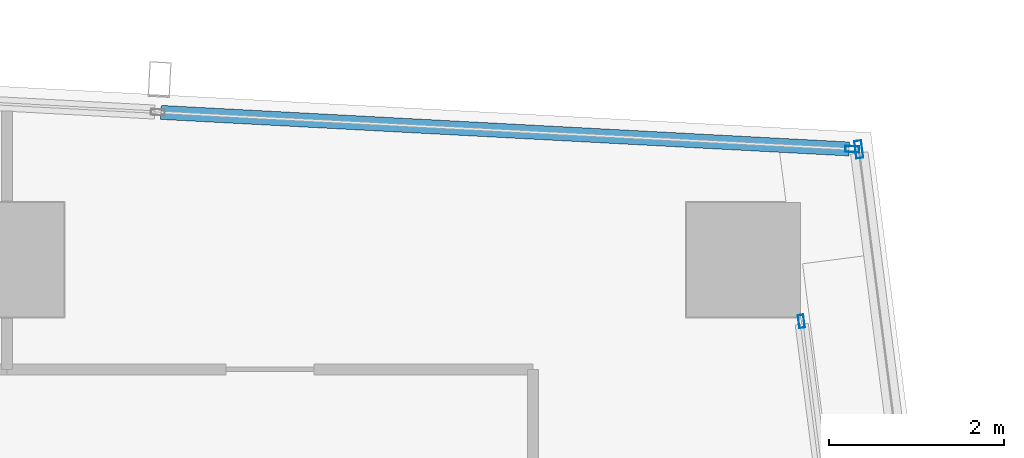
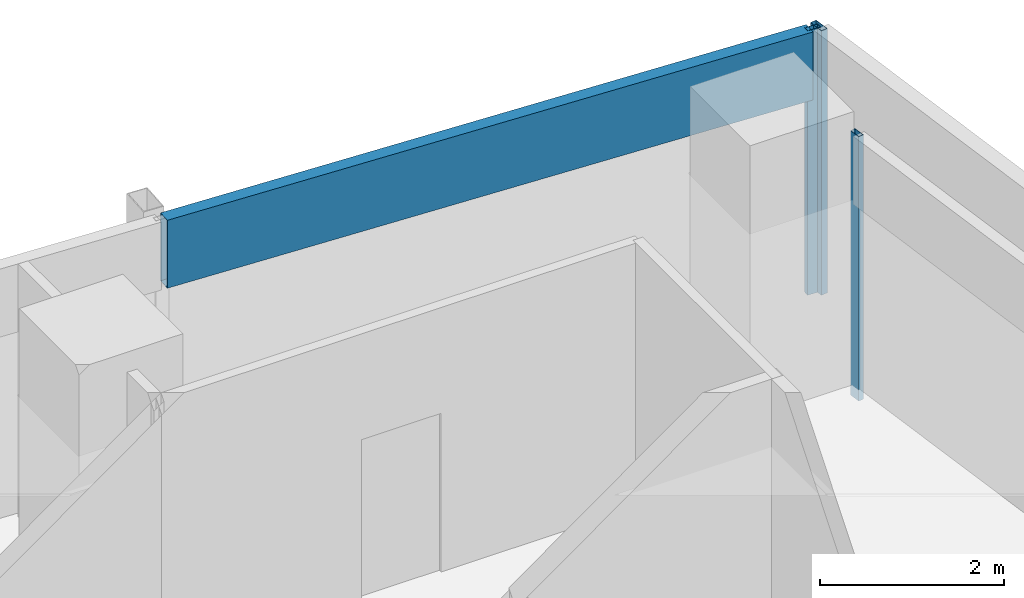
# One storey, part 20 of 29: 4 members, 3 elements without a shape of their own.
"""IFC4 building model written with IfcOpenShell, lengths in metres."""

import ifcopenshell
import ifcopenshell.guid

model = None  # the IFC model being written
_history = None  # IfcOwnerHistory: only IFC2X3 demands one
_inside = {}  # id of a spatial element -> (the spatial element, [elements in it])
_under = {}  # id of a project, library or spatial element -> (it, [spatial elements below it])
_declared = {}  # id of a project -> (the project, [libraries it declares])
_typed = {}  # id of a type object -> (the type object, [elements of that type])
_made_of = {}  # id of a material, layer set ... -> (it, [elements and type objects made of it])


def new_model(schema):
    """Start an empty IFC model of exactly this schema.

    Asked for "IFC4X3", IfcOpenShell would pick the latest addendum, in which some entities
    have other attributes; the version numbers below select the first issue.
    IFC2X3 requires an IfcOwnerHistory on every rooted entity: one is made here for all.
    """
    global model, _history
    if schema == "IFC4X3":
        model = ifcopenshell.file(schema_version=(4, 3, 0, 0))
    else:
        model = ifcopenshell.file(schema=schema)
    _inside.clear()
    _under.clear()
    _declared.clear()
    _typed.clear()
    _made_of.clear()
    _history = None
    if model.schema == "IFC2X3":
        org = make("IfcOrganization", Name="unknown")
        user = make(
            "IfcPersonAndOrganization",
            ThePerson=make("IfcPerson", FamilyName="unknown"),
            TheOrganization=org,
        )
        app = make(
            "IfcApplication",
            ApplicationDeveloper=org,
            Version="unknown",
            ApplicationFullName="unknown",
            ApplicationIdentifier="unknown",
        )
        _history = make(
            "IfcOwnerHistory",
            OwningUser=user,
            OwningApplication=app,
            ChangeAction="ADDED",
            CreationDate=0,
        )
    return model


def make(cls, **values):
    """One entity of the class cls with the attributes given. An attribute that is None is left unset."""
    return model.create_entity(
        cls, **{name: value for name, value in values.items() if value is not None}
    )


def rooted(cls, **values):
    """An entity with a GlobalId (a new one), such as an element, a storey or a relation."""
    return make(cls, GlobalId=ifcopenshell.guid.new(), OwnerHistory=_history, **values)


def si_unit(unit_type, name, prefix=None):
    """IfcSIUnit, for example si_unit("LENGTHUNIT", "METRE", prefix="MILLI")."""
    return make("IfcSIUnit", UnitType=unit_type, Prefix=prefix, Name=name)


def assignment(units):
    """IfcUnitAssignment: the units of a project."""
    return None if units is None else make("IfcUnitAssignment", Units=units)


def point(xyz):
    """IfcCartesianPoint."""
    return None if xyz is None else make("IfcCartesianPoint", Coordinates=xyz)


def direction(xyz):
    """IfcDirection."""
    return None if xyz is None else make("IfcDirection", DirectionRatios=xyz)


def frame(location, z_axis=None, x_axis=None):
    """IfcAxis2Placement3D, a coordinate frame: its origin and axes. An axis left out is left unset."""
    return make(
        "IfcAxis2Placement3D",
        Location=point(location),
        Axis=direction(z_axis),
        RefDirection=direction(x_axis),
    )


def frame_2d(location, x_axis=None):
    """IfcAxis2Placement2D, a coordinate frame in the plane: its origin and x axis."""
    return make(
        "IfcAxis2Placement2D", Location=point(location), RefDirection=direction(x_axis)
    )


def origin():
    """The frame at (0, 0, 0) with its axes left unset."""
    return frame((0.0, 0.0, 0.0))


def origin_2d():
    """The frame at (0, 0) in the plane with its x axis left unset."""
    return frame_2d((0.0, 0.0))


def place(relative_to, where):
    """IfcLocalPlacement: puts the frame where relative to a parent placement (None: the world)."""
    return make(
        "IfcLocalPlacement", PlacementRelTo=relative_to, RelativePlacement=where
    )


def context(
    kind, dimensions, precision=None, world=None, true_north=None, identifier=None
):
    """IfcGeometricRepresentationContext, for example the 3D "Model" context."""
    return make(
        "IfcGeometricRepresentationContext",
        ContextIdentifier=identifier,
        ContextType=kind,
        CoordinateSpaceDimension=dimensions,
        Precision=precision,
        WorldCoordinateSystem=world,
        TrueNorth=true_north,
    )


def subcontext(parent, identifier, kind, view, scale=None):
    """IfcGeometricRepresentationSubContext, for example "Body" below "Model"."""
    return make(
        "IfcGeometricRepresentationSubContext",
        ContextIdentifier=identifier,
        ContextType=kind,
        ParentContext=parent,
        TargetScale=scale,
        TargetView=view,
    )


def project(units=None, contexts=None):
    """IfcProject with its units and contexts."""
    return rooted(
        "IfcProject",
        Name="project",
        RepresentationContexts=contexts,
        UnitsInContext=assignment(units),
    )


def spatial(cls, under=None, at=None, **own):
    """A site, building, storey or space (cls), placed at a placement, below another one or the project."""
    s = rooted(cls, ObjectPlacement=at, **own)
    if under is not None:
        _under.setdefault(under.id(), (under, []))[1].append(s)
    return s


def profile(cls, at=None, kind="AREA", **sizes):
    """A parametric profile (cls). Its sizes go by their IFC names, for example OverallWidth=200.0."""
    return make(cls, ProfileType=kind, Position=at, **sizes)


def hollow_rectangle(**sizes):
    """IfcRectangleHollowProfileDef."""
    return profile("IfcRectangleHollowProfileDef", **sizes)


def extrude(swept, where, along, depth):
    """IfcExtrudedAreaSolid: the profile swept, set in the frame where, extruded along a direction by depth."""
    return make(
        "IfcExtrudedAreaSolid",
        SweptArea=swept,
        Position=where,
        ExtrudedDirection=direction(along),
        Depth=depth,
    )


def shape(context_of_items, identifier, shape_type, items):
    """IfcShapeRepresentation: the items that make up one representation, for example the "Body"."""
    return make(
        "IfcShapeRepresentation",
        ContextOfItems=context_of_items,
        RepresentationIdentifier=identifier,
        RepresentationType=shape_type,
        Items=items,
    )


def material(Name=None, Category=None):
    """IfcMaterial."""
    return make("IfcMaterial", Name=Name, Category=Category)


def material_profile(
    of_material, cross_section, Name=None, Category=None, Priority=None
):
    """IfcMaterialProfile: a cross section and its material."""
    return make(
        "IfcMaterialProfile",
        Name=Name,
        Material=of_material,
        Profile=cross_section,
        Priority=Priority,
        Category=Category,
    )


def profile_set(profiles, Name=None, composite=None):
    """IfcMaterialProfileSet."""
    return make(
        "IfcMaterialProfileSet",
        Name=Name,
        MaterialProfiles=profiles,
        CompositeProfile=composite,
    )


def made_of(thing, what):
    """Note that an element or type object is made of a material, layer set ...; save() writes the relation."""
    if what is not None:
        _made_of.setdefault(what.id(), (what, []))[1].append(thing)
    return thing


def type_object(cls, material=None, **own):
    """A type object (cls), such as IfcWallType, which elements share."""
    return made_of(rooted(cls, **own), material)


def element(
    cls,
    number,
    at=None,
    inside=None,
    cuts=None,
    type_object=None,
    material=None,
    context=None,
    identifier="Body",
    shape_type=None,
    held_by="IfcProductDefinitionShape",
    body=None,
    shapes=None,
    **own,
):
    """One element of the class cls, such as IfcWall. Its Tag is "e" and its number.

    at: its placement. inside: the storey or other place that contains it. cuts: it is an
    opening in that element (IfcRelVoidsElement). A single representation is given by context,
    identifier, shape_type and body (its items); several are given by shapes. held_by: the class
    of the entity that holds the representations. save() writes the other relations.
    """
    e = rooted(cls, Tag="e%d" % number, ObjectPlacement=at, **own)
    if body is not None:
        shapes = [shape(context, identifier, shape_type, body)]
    if shapes is not None:
        e.Representation = make(held_by, Representations=shapes)
    if inside is not None:
        _inside.setdefault(inside.id(), (inside, []))[1].append(e)
    if cuts is not None:
        rooted(
            "IfcRelVoidsElement", RelatingBuildingElement=cuts, RelatedOpeningElement=e
        )
    if type_object is not None:
        _typed.setdefault(type_object.id(), (type_object, []))[1].append(e)
    return made_of(e, material)


def aggregate(whole, parts):
    """IfcRelAggregates: a whole, such as a stair, and the parts it consists of."""
    return rooted("IfcRelAggregates", RelatingObject=whole, RelatedObjects=parts)


def save(model, path):
    """Write the relations noted so far, then the file.

    IfcRelAggregates (storeys below a building ...), IfcRelContainedInSpatialStructure (elements
    in a storey), IfcRelDefinesByType, IfcRelAssociatesMaterial and IfcRelDeclares: one each for
    every whole, place, type object, material and project.
    """
    for whole, parts in _under.values():
        aggregate(whole, parts)
    for where, things in _inside.values():
        rooted(
            "IfcRelContainedInSpatialStructure",
            RelatedElements=things,
            RelatingStructure=where,
        )
    for kind, things in _typed.values():
        rooted("IfcRelDefinesByType", RelatedObjects=things, RelatingType=kind)
    for what, things in _made_of.values():
        rooted("IfcRelAssociatesMaterial", RelatedObjects=things, RelatingMaterial=what)
    for by, libraries in _declared.values():
        rooted("IfcRelDeclares", RelatingContext=by, RelatedDefinitions=libraries)
    model.write(path)


model = new_model("IFC4")

# Units and contexts
model_context = context("Model", 3, precision=1e-05, world=origin(), true_north=direction((0.0, 1.0)))
body_context = subcontext(model_context, "Body", "Model", "MODEL_VIEW")
ifc_project = project(units=[si_unit("LENGTHUNIT", "METRE"), si_unit("AREAUNIT", "SQUARE_METRE"), si_unit("VOLUMEUNIT", "CUBIC_METRE"), si_unit("PLANEANGLEUNIT", "RADIAN"), si_unit("MASSUNIT", "GRAM", prefix="KILO")], contexts=[model_context])

# Site, building, storey
site_placement = place(None, origin())
site = spatial("IfcSite", under=ifc_project, at=site_placement, CompositionType="ELEMENT")
building_placement = place(site_placement, origin())
building = spatial("IfcBuilding", under=site, at=building_placement, Name="Rekha Terrace Tower", CompositionType="ELEMENT")
storey_placement = place(building_placement, frame((0.0, 0.0, 257.60009765625)))
storey = spatial("IfcBuildingStorey", under=building, at=storey_placement, Name="L65", CompositionType="ELEMENT", Elevation=257.60009765625)

# Curtain wall, member
ifc_material_1 = material(Name="Aluminium framing", Category="aluminium")
curtain_wall_type_1 = type_object("IfcCurtainWallType", Name="CW1 double skin inner glazing", PredefinedType="USERDEFINED", material=ifc_material_1)
curtain_wall_1_placement = place(storey_placement, origin())
curtain_wall_1 = element("IfcCurtainWall", 1, at=curtain_wall_1_placement, inside=storey, type_object=curtain_wall_type_1, Name="CW1 double skin inner glazing", ObjectType="DOUBLE SKIN INNER GLAZING", PredefinedType="USERDEFINED")
ifc_material_2 = material(Name="Aluminium mullion section", Category="aluminium")
ifc_material_profile_1 = material_profile(ifc_material_2, hollow_rectangle(XDim=0.06494140625, YDim=0.14990234375, WallThickness=0.00390625, at=origin_2d()), Name="AL RHS 65x150")
ifc_profile_set_1 = profile_set([ifc_material_profile_1], Name="Aluminium mullion section")
member_type_1 = type_object("IfcMemberType", Name="CW1 mullion RHS 65 x 150", PredefinedType="MULLION", material=ifc_profile_set_1)
member_1_placement = place(storey_placement, frame((59.458740234375, 49.6982421875, 0.0), z_axis=(0.0, 0.0, 1.0), x_axis=(-0.991790949472, -0.127869904766, 0.0)))
member_1 = element("IfcMember", 2, at=member_1_placement, type_object=member_type_1, Name="CW1 mullion 2", PredefinedType="MULLION", context=body_context, shape_type="SweptSolid", body=[
    extrude(hollow_rectangle(XDim=0.06494140625, YDim=0.14990234375, WallThickness=0.00390625, at=origin_2d()), origin(), (0.0, 0.0, 1.0), 3.5),
])
aggregate(curtain_wall_1, [member_1])

curtain_wall_type_2 = type_object("IfcCurtainWallType", Name="CW2 double skin outer glazing", PredefinedType="USERDEFINED", material=ifc_material_1)
curtain_wall_2_placement = place(storey_placement, origin())
curtain_wall_2 = element("IfcCurtainWall", 3, at=curtain_wall_2_placement, inside=storey, type_object=curtain_wall_type_2, Name="CW2 double skin outer glazing", ObjectType="DOUBLE SKIN OUTER GLAZING", PredefinedType="USERDEFINED")
ifc_material_profile_2 = material_profile(ifc_material_2, hollow_rectangle(XDim=0.080078125, YDim=0.199951171875, WallThickness=0.00390625, at=origin_2d()), Name="AL RHS 80x200")
ifc_profile_set_2 = profile_set([ifc_material_profile_2], Name="Aluminium mullion section")
member_type_2 = type_object("IfcMemberType", Name="CW2 mullion RHS 80 x 200", PredefinedType="MULLION", material=ifc_profile_set_2)
member_2_placement = place(storey_placement, frame((60.113525390625, 51.65771484375, 0.0), z_axis=(0.0, 0.0, 1.0), x_axis=(-0.991790949459, -0.12786990487, 0.0)))
member_2 = element("IfcMember", 4, at=member_2_placement, type_object=member_type_2, Name="CW2 mullion 2", PredefinedType="MULLION", context=body_context, shape_type="SweptSolid", body=[
    extrude(hollow_rectangle(XDim=0.080078125, YDim=0.199951171875, WallThickness=0.00390625, at=origin_2d()), origin(), (0.0, 0.0, 1.0), 3.5),
])
aggregate(curtain_wall_2, [member_2])

# Curtain wall, members
curtain_wall_type_3 = type_object("IfcCurtainWallType", Name="CW3 north unitised glazing", PredefinedType="USERDEFINED", material=ifc_material_1)
curtain_wall_3_placement = place(storey_placement, origin())
curtain_wall_3 = element("IfcCurtainWall", 5, at=curtain_wall_3_placement, inside=storey, type_object=curtain_wall_type_3, Name="CW3 unitised curtain wall", ObjectType="UNITISED CURTAIN WALL", PredefinedType="USERDEFINED")
ifc_material_profile_3 = material_profile(ifc_material_2, hollow_rectangle(XDim=0.070068359375, YDim=0.159912109375, WallThickness=0.00390625, at=origin_2d()), Name="AL RHS 70x160")
ifc_profile_set_3 = profile_set([ifc_material_profile_3], Name="Aluminium mullion section")
member_type_3 = type_object("IfcMemberType", Name="CW3 mullion RHS 70 x 160", PredefinedType="MULLION", material=ifc_profile_set_3)
member_3_placement = place(storey_placement, frame((60.0380859375, 51.660888671875, 0.0), z_axis=(0.0, 0.0, 1.0), x_axis=(-0.053083275524, -0.998590089005, 0.0)))
member_3 = element("IfcMember", 6, at=member_3_placement, type_object=member_type_3, Name="CW3 mullion 1", PredefinedType="MULLION", context=body_context, shape_type="SweptSolid", body=[
    extrude(hollow_rectangle(XDim=0.070068359375, YDim=0.159912109375, WallThickness=0.00390625, at=origin_2d()), origin(), (0.0, 0.0, 1.0), 3.5),
])
ifc_material_3 = material(Name="Insulated aluminium spandrel box", Category="aluminium")
ifc_material_profile_4 = material_profile(ifc_material_3, hollow_rectangle(XDim=0.159912109375, YDim=0.89990234375, WallThickness=0.0029296875, at=origin_2d()), Name="AL SPANDREL BOX 160x900")
ifc_profile_set_4 = profile_set([ifc_material_profile_4], Name="Insulated aluminium spandrel box")
member_type_4 = type_object("IfcMemberType", Name="CW3 spandrel transom 160 x 900", PredefinedType="USERDEFINED", material=ifc_profile_set_4)
member_4_placement = place(storey_placement, frame((60.003173828125, 51.662841796875, 3.0498046875), z_axis=(-0.99859048353, 0.053075853302, 0.0), x_axis=(-0.053075853302, -0.99859048353, 0.0)))
member_4 = element("IfcMember", 7, at=member_4_placement, type_object=member_type_4, Name="CW3 spandrel transom 1", ObjectType="TRANSOM", PredefinedType="USERDEFINED", context=body_context, shape_type="SweptSolid", body=[
    extrude(hollow_rectangle(XDim=0.159912109375, YDim=0.89990234375, WallThickness=0.0029296875, at=origin_2d()), origin(), (0.0, 0.0, 1.0), 7.8564453125),
])
aggregate(curtain_wall_3, [member_3, member_4])

save(model, "model.ifc")
